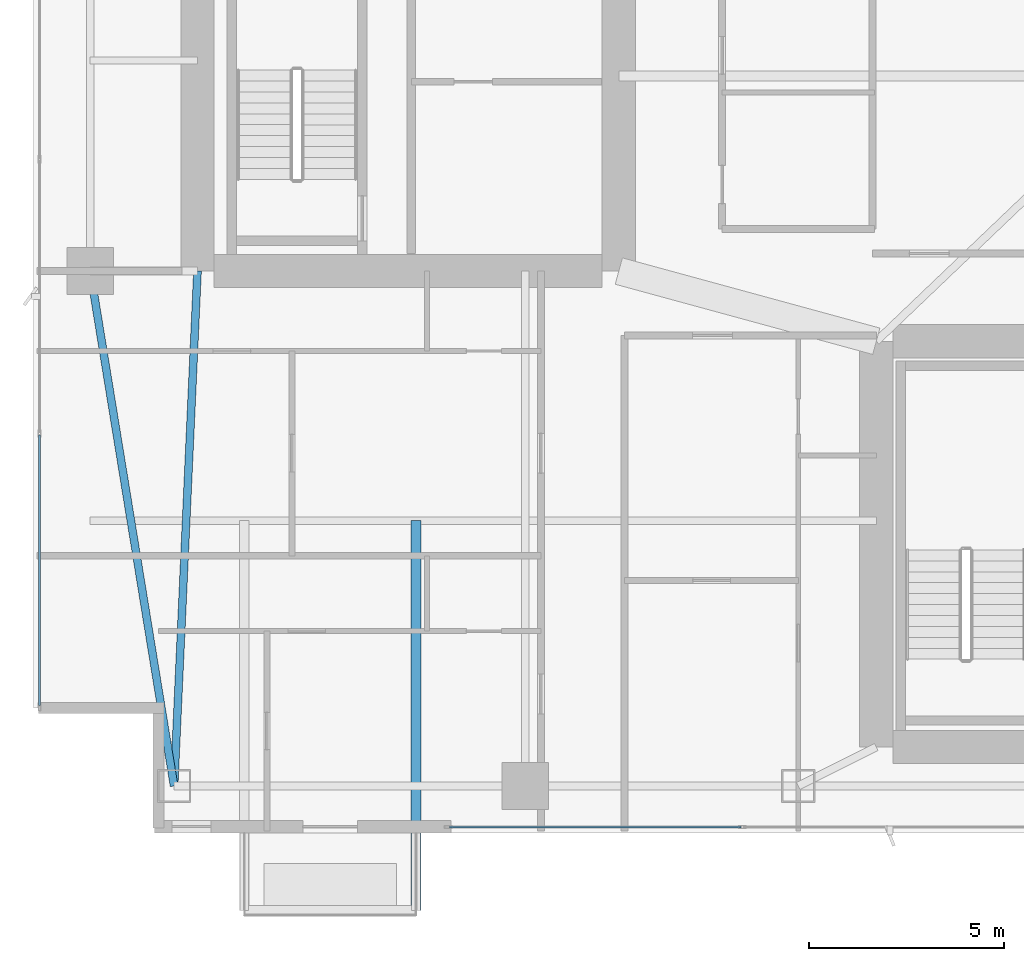
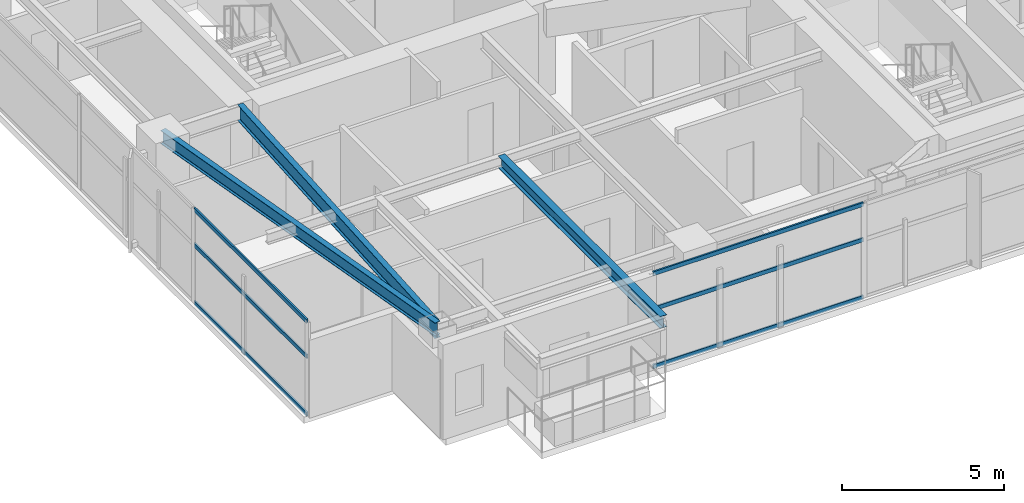
# One storey, part 3 of 28: 6 members, 3 beams, 2 elements without a shape of their own.
"""IFC4 building model written with IfcOpenShell, lengths in metres."""

from ifc_helpers import new_model, si_unit, direction, frame, origin, origin_2d, place, context, subcontext, project, spatial, hollow_rectangle, i_section, extrude, material, layer, layer_set, material_profile, profile_set, type_object, element, aggregate, save


model = new_model("IFC4")

# Units and contexts
model_context = context("Model", 3, precision=1e-05, world=origin(), true_north=direction((0.0, 1.0)))
body_context = subcontext(model_context, "Body", "Model", "MODEL_VIEW")
ifc_project = project(units=[si_unit("LENGTHUNIT", "METRE"), si_unit("AREAUNIT", "SQUARE_METRE"), si_unit("VOLUMEUNIT", "CUBIC_METRE"), si_unit("PLANEANGLEUNIT", "RADIAN"), si_unit("MASSUNIT", "GRAM", prefix="KILO")], contexts=[model_context])

# Site, building, storey
site_placement = place(None, origin())
site = spatial("IfcSite", under=ifc_project, at=site_placement, CompositionType="ELEMENT")
building_placement = place(site_placement, origin())
building = spatial("IfcBuilding", under=site, at=building_placement, Name="Calvorn Quay Hotel", CompositionType="ELEMENT")
storey_placement = place(building_placement, frame((0.0, 0.0, 159.89990234375)))
storey = spatial("IfcBuildingStorey", under=building, at=storey_placement, Name="L39", CompositionType="ELEMENT", Elevation=159.89990234375)

# Beams
ifc_material_1 = material(Name="Steel Q355B", Category="steel")
ifc_material_profile_1 = material_profile(ifc_material_1, i_section(OverallWidth=0.25, OverallDepth=0.449951171875, WebThickness=0.011962890625, FlangeThickness=0.01611328125, FilletRadius=0.01611328125, at=origin_2d()), Name="HN450x250x12x16")
ifc_profile_set_1 = profile_set([ifc_material_profile_1], Name="Steel Q355B")
beam_type_1 = type_object("IfcBeamType", Name="BM-CANT-BALC", PredefinedType="BEAM", material=ifc_profile_set_1)
beam_1_placement = place(storey_placement, frame((9.800048828125, 10.39990234375, 3.315185546875), z_axis=(0.0, -1.0, 0.0), x_axis=(1.0, 0.0, 0.0)))
element("IfcBeam", 1, at=beam_1_placement, inside=storey, type_object=beam_type_1, Name="Cantilever Balcony Beam BCB-L40-2B", PredefinedType="BEAM", context=body_context, shape_type="SweptSolid", body=[
    extrude(i_section(OverallWidth=0.25, OverallDepth=0.449951171875, WebThickness=0.011962890625, FlangeThickness=0.01611328125, FilletRadius=0.01611328125, at=origin_2d()), origin(), (0.0, 0.0, 1.0), 9.989990234375),
])
ifc_material_2 = material(Name="Steel Q355B", Category="steel")
ifc_material_profile_2 = material_profile(ifc_material_2, i_section(OverallWidth=0.199951171875, OverallDepth=0.60009765625, WebThickness=0.010986328125, FlangeThickness=0.01708984375, FilletRadius=0.01806640625, at=origin_2d()), Name="HN600x200x11x17")
ifc_profile_set_2 = profile_set([ifc_material_profile_2], Name="Steel Q355B")
beam_type_2 = type_object("IfcBeamType", Name="BM-GIRD-TYP", PredefinedType="BEAM", material=ifc_profile_set_2)
beam_2_placement = place(storey_placement, frame((3.60009765625, 3.60009765625, 3.239990234375), z_axis=(0.045396765494, 0.998969035397, 0.0), x_axis=(-0.998969035397, 0.045396765494, 0.0)))
element("IfcBeam", 2, at=beam_2_placement, inside=storey, type_object=beam_type_2, Name="Beam BG-L39-W0", PredefinedType="BEAM", context=body_context, shape_type="SweptSolid", body=[
    extrude(i_section(OverallWidth=0.199951171875, OverallDepth=0.60009765625, WebThickness=0.010986328125, FlangeThickness=0.01708984375, FilletRadius=0.01806640625, at=origin_2d()), origin(), (0.0, 0.0, 1.0), 13.213623046875),
])
ifc_material_3 = material(Name="Steel Q355B", Category="steel")
ifc_material_profile_3 = material_profile(ifc_material_3, i_section(OverallWidth=0.199951171875, OverallDepth=0.5, WebThickness=0.010009765625, FlangeThickness=0.01611328125, FilletRadius=0.01611328125, at=origin_2d()), Name="HN500x200x10x16")
ifc_profile_set_3 = profile_set([ifc_material_profile_3], Name="Steel Q355B")
beam_type_3 = type_object("IfcBeamType", Name="BM-SPANDREL-Z1", PredefinedType="SPANDREL", material=ifc_profile_set_3)
beam_3_placement = place(storey_placement, frame((3.60009765625, 3.60009765625, 3.2900390625), z_axis=(-0.16077155054, 0.986991645627, 0.0), x_axis=(-0.986991645627, -0.16077155054, 0.0)))
element("IfcBeam", 3, at=beam_3_placement, inside=storey, type_object=beam_type_3, Name="Beam BSP-L39-W1", PredefinedType="SPANDREL", context=body_context, shape_type="SweptSolid", body=[
    extrude(i_section(OverallWidth=0.199951171875, OverallDepth=0.5, WebThickness=0.010009765625, FlangeThickness=0.01611328125, FilletRadius=0.01611328125, at=origin_2d()), origin(), (0.0, 0.0, 1.0), 13.3740234375),
])

# Curtain wall, members
ifc_material_4 = material(Name="Pale Anodised Aluminium and Low-E Glass", Category="aluminium")
ifc_layer = layer(ifc_material_4, 0.219970703125)
ifc_layer_set = layer_set([ifc_layer], Name="CW-SYS-Z2")
curtain_wall_type = type_object("IfcCurtainWallType", Name="CW-SYS-Z2", PredefinedType="NOTDEFINED", material=ifc_layer_set)
curtain_wall_1_placement = place(storey_placement, origin())
curtain_wall_1 = element("IfcCurtainWall", 4, at=curtain_wall_1_placement, inside=storey, type_object=curtain_wall_type, Name="Tower West Curtain Wall (L39)", PredefinedType="NOTDEFINED")
ifc_material_5 = material(Name="Pale Anodised Aluminium 6063-T6", Category="aluminium")
ifc_material_profile_4 = material_profile(ifc_material_5, hollow_rectangle(XDim=0.06005859375, YDim=0.14990234375, WallThickness=0.00341796875, at=origin_2d()), Name="ALU-T150x60x3.5")
ifc_profile_set_4 = profile_set([ifc_material_profile_4], Name="Pale Anodised Aluminium 6063-T6")
member_type = type_object("IfcMemberType", Name="CW-SYS-Z2-TRN", PredefinedType="USERDEFINED", material=ifc_profile_set_4)
member_1_placement = place(storey_placement, frame((0.14990234375, 5.659912109375, 0.030029296875), z_axis=(0.0, 1.0, 0.0), x_axis=(-1.0, 0.0, 0.0)))
member_1 = element("IfcMember", 5, at=member_1_placement, type_object=member_type, Name="CW-L39-W transom 1.1", ObjectType="TRANSOM", PredefinedType="USERDEFINED", context=body_context, shape_type="SweptSolid", body=[
    extrude(hollow_rectangle(XDim=0.06005859375, YDim=0.14990234375, WallThickness=0.00341796875, at=origin_2d()), origin(), (0.0, 0.0, 1.0), 6.943359375),
])
member_2_placement = place(storey_placement, frame((0.14990234375, 5.659912109375, 2.2001953125), z_axis=(0.0, 1.0, 0.0), x_axis=(-1.0, 0.0, 0.0)))
member_2 = element("IfcMember", 6, at=member_2_placement, type_object=member_type, Name="CW-L39-W transom 1.2", ObjectType="TRANSOM", PredefinedType="USERDEFINED", context=body_context, shape_type="SweptSolid", body=[
    extrude(hollow_rectangle(XDim=0.06005859375, YDim=0.14990234375, WallThickness=0.00341796875, at=origin_2d()), origin(), (0.0, 0.0, 1.0), 6.943359375),
])
member_3_placement = place(storey_placement, frame((0.14990234375, 5.659912109375, 3.530029296875), z_axis=(0.0, 1.0, 0.0), x_axis=(-1.0, 0.0, 0.0)))
member_3 = element("IfcMember", 7, at=member_3_placement, type_object=member_type, Name="CW-L39-W transom 1.3", ObjectType="TRANSOM", PredefinedType="USERDEFINED", context=body_context, shape_type="SweptSolid", body=[
    extrude(hollow_rectangle(XDim=0.06005859375, YDim=0.14990234375, WallThickness=0.00341796875, at=origin_2d()), origin(), (0.0, 0.0, 1.0), 6.943359375),
])
aggregate(curtain_wall_1, [member_1, member_2, member_3])

curtain_wall_2_placement = place(storey_placement, origin())
curtain_wall_2 = element("IfcCurtainWall", 8, at=curtain_wall_2_placement, inside=storey, type_object=curtain_wall_type, Name="Tower South Waterfront Curtain Wall (L39)", PredefinedType="NOTDEFINED")
member_4_placement = place(storey_placement, frame((10.659912109375, 2.550048828125, 0.030029296875), z_axis=(1.0, 0.0, 0.0), x_axis=(0.0, 1.0, 0.0)))
member_4 = element("IfcMember", 9, at=member_4_placement, type_object=member_type, Name="CW-L39-S transom 1.1", ObjectType="TRANSOM", PredefinedType="USERDEFINED", context=body_context, shape_type="SweptSolid", body=[
    extrude(hollow_rectangle(XDim=0.06005859375, YDim=0.14990234375, WallThickness=0.00341796875, at=origin_2d()), origin(), (0.0, 0.0, 1.0), 7.476806640625),
])
member_5_placement = place(storey_placement, frame((10.659912109375, 2.550048828125, 2.2001953125), z_axis=(1.0, 0.0, 0.0), x_axis=(0.0, 1.0, 0.0)))
member_5 = element("IfcMember", 10, at=member_5_placement, type_object=member_type, Name="CW-L39-S transom 1.2", ObjectType="TRANSOM", PredefinedType="USERDEFINED", context=body_context, shape_type="SweptSolid", body=[
    extrude(hollow_rectangle(XDim=0.06005859375, YDim=0.14990234375, WallThickness=0.00341796875, at=origin_2d()), origin(), (0.0, 0.0, 1.0), 7.476806640625),
])
member_6_placement = place(storey_placement, frame((10.659912109375, 2.550048828125, 3.530029296875), z_axis=(1.0, 0.0, 0.0), x_axis=(0.0, 1.0, 0.0)))
member_6 = element("IfcMember", 11, at=member_6_placement, type_object=member_type, Name="CW-L39-S transom 1.3", ObjectType="TRANSOM", PredefinedType="USERDEFINED", context=body_context, shape_type="SweptSolid", body=[
    extrude(hollow_rectangle(XDim=0.06005859375, YDim=0.14990234375, WallThickness=0.00341796875, at=origin_2d()), origin(), (0.0, 0.0, 1.0), 7.476806640625),
])
aggregate(curtain_wall_2, [member_4, member_5, member_6])

save(model, "model.ifc")
